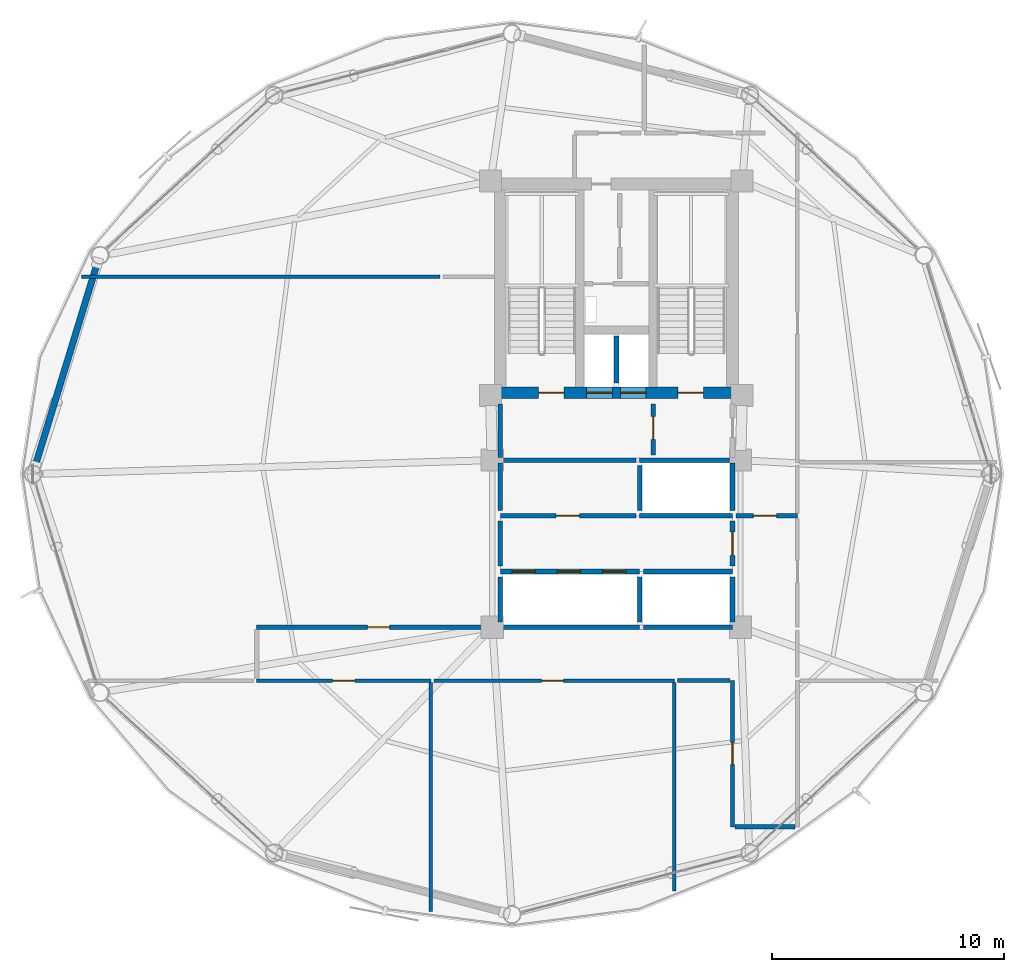
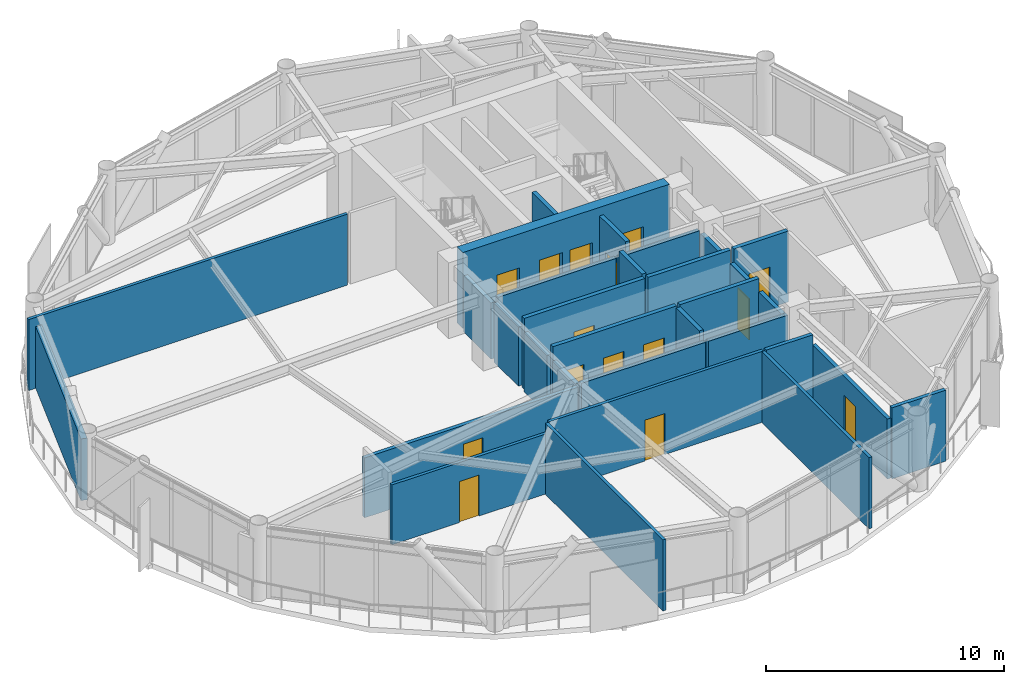
# One storey, part 21 of 25: 31 walls, 15 doors, 15 openings.
"""IFC4 building model written with IfcOpenShell, lengths in metres."""

from ifc_helpers import new_model, si_unit, direction, frame, frame_2d, origin, place, context, subcontext, project, spatial, rectangle, extrude, material, layer, layer_set, type_object, element, fill, save


model = new_model("IFC4")

# Units and contexts
model_context = context("Model", 3, precision=1e-05, world=origin(), true_north=direction((0.0, 1.0)))
body_context = subcontext(model_context, "Body", "Model", "MODEL_VIEW")
ifc_project = project(units=[si_unit("LENGTHUNIT", "METRE"), si_unit("AREAUNIT", "SQUARE_METRE"), si_unit("VOLUMEUNIT", "CUBIC_METRE"), si_unit("PLANEANGLEUNIT", "RADIAN"), si_unit("MASSUNIT", "GRAM", prefix="KILO")], contexts=[model_context])

# Site, building, storey
site_placement = place(None, origin())
site = spatial("IfcSite", under=ifc_project, at=site_placement, CompositionType="ELEMENT")
building_placement = place(site_placement, origin())
building = spatial("IfcBuilding", under=site, at=building_placement, Name="Varnakorn Sky Granary", CompositionType="ELEMENT")
storey_placement = place(building_placement, frame((0.0, 0.0, 157.800048828125)))
storey = spatial("IfcBuildingStorey", under=building, at=storey_placement, Name="L39", CompositionType="ELEMENT", Elevation=157.800048828125)

# Wall, openings, doors
ifc_material_1 = material(Name="Concrete C60/75", Category="concrete")
ifc_layer_1 = layer(ifc_material_1, 0.5, Name="Concrete C60/75")
ifc_layer_set_1 = layer_set([ifc_layer_1], Name="Concrete C60/75")
wall_type_1 = type_object("IfcWallType", Name="WT-CW-SHEAR-500", PredefinedType="SHEAR", material=ifc_layer_set_1)
wall_1_placement = place(storey_placement, frame((-2.0, 3.5, 0.0), z_axis=(0.0, 0.0, 1.0), x_axis=(1.0, 0.0, 0.0)))
wall_1 = element("IfcWall", 1, at=wall_1_placement, inside=storey, type_object=wall_type_1, Name="Core South Shear Wall L39", PredefinedType="SHEAR", context=body_context, shape_type="SweptSolid", body=[
    extrude(rectangle(XDim=10.0, YDim=0.5, at=frame_2d((5.0, 0.0))), origin(), (0.0, 0.0, 1.0), 3.891845703125),
])
opening_1_placement = place(wall_1_placement, frame((1.64990234375, 0.0, 0.0)))
opening_1 = element("IfcOpeningElement", 2, at=opening_1_placement, cuts=wall_1, Name="Opening FD-90", PredefinedType="OPENING", context=body_context, shape_type="SweptSolid", body=[
    extrude(rectangle(XDim=1.10009765625, YDim=2.14990234375, at=frame_2d((0.550048828125, 1.074951171875))), frame((0.0, 0.260009765625, 0.0), z_axis=(0.0, -1.0, 0.0), x_axis=(1.0, 0.0, 0.0)), (0.0, 0.0, 1.0), 0.52001953125),
])
opening_2_placement = place(wall_1_placement, frame((7.64990234375, 0.0, 0.0)))
opening_2 = element("IfcOpeningElement", 3, at=opening_2_placement, cuts=wall_1, Name="Opening FD-90", PredefinedType="OPENING", context=body_context, shape_type="SweptSolid", body=[
    extrude(rectangle(XDim=1.10009765625, YDim=2.14990234375, at=frame_2d((0.550048828125, 1.074951171875))), frame((0.0, 0.260009765625, 0.0), z_axis=(0.0, -1.0, 0.0), x_axis=(1.0, 0.0, 0.0)), (0.0, 0.0, 1.0), 0.52001953125),
])
opening_3_placement = place(wall_1_placement, frame((3.719970703125, 0.0, 0.0)))
opening_3 = element("IfcOpeningElement", 4, at=opening_3_placement, cuts=wall_1, Name="Opening LD-01", PredefinedType="OPENING", context=body_context, shape_type="SweptSolid", body=[
    extrude(rectangle(XDim=1.10009765625, YDim=2.199951171875, at=frame_2d((0.550048828125, 1.10009765625))), frame((0.0, 0.260009765625, 0.0), z_axis=(0.0, -1.0, 0.0), x_axis=(1.0, 0.0, 0.0)), (0.0, 0.0, 1.0), 0.52001953125),
])
opening_4_placement = place(wall_1_placement, frame((5.179931640625, 0.0, 0.0)))
opening_4 = element("IfcOpeningElement", 5, at=opening_4_placement, cuts=wall_1, Name="Opening LD-01", PredefinedType="OPENING", context=body_context, shape_type="SweptSolid", body=[
    extrude(rectangle(XDim=1.10009765625, YDim=2.199951171875, at=frame_2d((0.550048828125, 1.10009765625))), frame((0.0, 0.260009765625, 0.0), z_axis=(0.0, -1.0, 0.0), x_axis=(1.0, 0.0, 0.0)), (0.0, 0.0, 1.0), 0.52001953125),
])
ifc_material_2 = material(Name="Brushed Bronze Stainless Steel", Category="steel")
door_type_1 = type_object("IfcDoorType", Name="DR-LD-1100", OperationType="DOUBLE_DOOR_SLIDING", PredefinedType="DOOR", material=ifc_material_2)
door_1_placement = place(opening_3_placement, origin())
door_1 = element("IfcDoor", 6, at=door_1_placement, inside=storey, type_object=door_type_1, Name="Firefighting Lift FFL-1 Landing Door L39", OperationType="DOUBLE_DOOR_SLIDING", OverallHeight=2.199951171875, OverallWidth=1.10009765625, PredefinedType="DOOR", context=body_context, shape_type="SweptSolid", body=[
    extrude(rectangle(XDim=1.10009765625, YDim=2.199951171875, at=frame_2d((0.550048828125, 1.10009765625))), frame((0.0, 0.02490234375, 0.0), z_axis=(0.0, -1.0, 0.0), x_axis=(1.0, 0.0, 0.0)), (0.0, 0.0, 1.0), 0.050048828125),
])
fill(opening_3, door_1)
door_2_placement = place(opening_4_placement, origin())
door_2 = element("IfcDoor", 7, at=door_2_placement, inside=storey, type_object=door_type_1, Name="Firefighting Lift FFL-2 Landing Door L39", OperationType="DOUBLE_DOOR_SLIDING", OverallHeight=2.199951171875, OverallWidth=1.10009765625, PredefinedType="DOOR", context=body_context, shape_type="SweptSolid", body=[
    extrude(rectangle(XDim=1.10009765625, YDim=2.199951171875, at=frame_2d((0.550048828125, 1.10009765625))), frame((0.0, 0.02490234375, 0.0), z_axis=(0.0, -1.0, 0.0), x_axis=(1.0, 0.0, 0.0)), (0.0, 0.0, 1.0), 0.050048828125),
])
fill(opening_4, door_2)
ifc_material_3 = material(Name="Galvanised Painted Steel Leaf", Category="steel")
door_type_2 = type_object("IfcDoorType", Name="DR-STAIR-1100", OperationType="NOTDEFINED", PredefinedType="DOOR", material=ifc_material_3)
door_3_placement = place(opening_1_placement, origin())
door_3 = element("IfcDoor", 8, at=door_3_placement, inside=storey, type_object=door_type_2, Name="Stair ST-1 Protected Fire Door L39", OperationType="SINGLE_SWING_LEFT", OverallHeight=2.14990234375, OverallWidth=1.10009765625, PredefinedType="DOOR", context=body_context, shape_type="SweptSolid", body=[
    extrude(rectangle(XDim=1.10009765625, YDim=2.14990234375, at=frame_2d((0.550048828125, 1.074951171875))), frame((0.0, 0.02490234375, 0.0), z_axis=(0.0, -1.0, 0.0), x_axis=(1.0, 0.0, 0.0)), (0.0, 0.0, 1.0), 0.050048828125),
])
fill(opening_1, door_3)
door_4_placement = place(opening_2_placement, origin())
door_4 = element("IfcDoor", 9, at=door_4_placement, inside=storey, type_object=door_type_2, Name="Stair ST-2 Protected Fire Door L39", OperationType="SINGLE_SWING_RIGHT", OverallHeight=2.14990234375, OverallWidth=1.10009765625, PredefinedType="DOOR", context=body_context, shape_type="SweptSolid", body=[
    extrude(rectangle(XDim=1.10009765625, YDim=2.14990234375, at=frame_2d((0.550048828125, 1.074951171875))), frame((0.0, 0.02490234375, 0.0), z_axis=(0.0, -1.0, 0.0), x_axis=(1.0, 0.0, 0.0)), (0.0, 0.0, 1.0), 0.050048828125),
])
fill(opening_2, door_4)

# Wall
ifc_material_4 = material(Name="Precast concrete C40/50", Category="concrete")
ifc_layer_2 = layer(ifc_material_4, 0.280029296875, Name="Precast concrete C40/50")
ifc_layer_set_2 = layer_set([ifc_layer_2], Name="Precast concrete C40/50")
wall_type_2 = type_object("IfcWallType", Name="WT-EW-CRN-280", PredefinedType="SOLIDWALL", material=ifc_layer_set_2)
wall_2_placement = place(storey_placement, frame((-22.0517578125, 0.3212890625, 0.0), z_axis=(0.0, 0.0, 1.0), x_axis=(0.292446025951, 0.956282030525, 0.0)))
element("IfcWall", 10, at=wall_2_placement, inside=storey, type_object=wall_type_2, Name="Agritech Insulated Precast Facade Wall L39-P06", PredefinedType="SOLIDWALL", context=body_context, shape_type="SweptSolid", body=[
    extrude(rectangle(XDim=9.18798828125, YDim=0.280029296875, at=frame_2d((4.593994140625, 0.0))), origin(), (0.0, 0.0, 1.0), 3.159912109375),
])

# Wall, opening, door
ifc_material_5 = material(Name="Autoclaved Aerated Concrete Blockwork", Category="masonry")
ifc_layer_3 = layer(ifc_material_5, 0.199951171875, Name="Autoclaved Aerated Concrete Blockwork")
ifc_layer_set_3 = layer_set([ifc_layer_3], Name="Autoclaved Aerated Concrete Blockwork")
wall_type_3 = type_object("IfcWallType", Name="WT-FIRE-200", PredefinedType="MOVABLE", material=ifc_layer_set_3)
wall_3_placement = place(storey_placement, frame((4.580078125, 0.830078125, 0.0), z_axis=(0.0, 0.0, 1.0), x_axis=(0.0, 1.0, 0.0)))
wall_3 = element("IfcWall", 11, at=wall_3_placement, inside=storey, type_object=wall_type_3, Name="Interior Partition Wall L39-015", PredefinedType="MOVABLE", context=body_context, shape_type="SweptSolid", body=[
    extrude(rectangle(XDim=2.18994140625, YDim=0.199951171875, at=frame_2d((1.094970703125, 0.0))), origin(), (0.0, 0.0, 1.0), 3.639892578125),
])
opening_5_placement = place(wall_3_placement, frame((0.659912109375, 0.0, 0.0)))
opening_5 = element("IfcOpeningElement", 12, at=opening_5_placement, cuts=wall_3, Name="Opening FD-60", PredefinedType="OPENING", context=body_context, shape_type="SweptSolid", body=[
    extrude(rectangle(XDim=1.0, YDim=2.10009765625, at=frame_2d((0.5, 1.050048828125))), frame((0.0, 0.10986328125, 0.0), z_axis=(0.0, -1.0, 0.0), x_axis=(1.0, 0.0, 0.0)), (0.0, 0.0, 1.0), 0.219970703125),
])
ifc_material_6 = material(Name="Acoustic Timber Fire Leaf", Category="wood")
door_type_3 = type_object("IfcDoorType", Name="DR-FD60-1000", OperationType="NOTDEFINED", PredefinedType="DOOR", material=ifc_material_6)
door_5_placement = place(opening_5_placement, origin())
door_5 = element("IfcDoor", 13, at=door_5_placement, inside=storey, type_object=door_type_3, Name="Interior Door L39-015-1", OperationType="SINGLE_SWING_RIGHT", OverallHeight=2.10009765625, OverallWidth=1.0, PredefinedType="DOOR", context=body_context, shape_type="SweptSolid", body=[
    extrude(rectangle(XDim=1.0, YDim=2.10009765625, at=frame_2d((0.5, 1.050048828125))), frame((0.0, 0.02490234375, 0.0), z_axis=(0.0, -1.0, 0.0), x_axis=(1.0, 0.0, 0.0)), (0.0, 0.0, 1.0), 0.050048828125),
])
fill(opening_5, door_5)

wall_4_placement = place(storey_placement, frame((8.0, -3.969970703125, 0.0), z_axis=(0.0, 0.0, 1.0), x_axis=(0.0, 1.0, 0.0)))
wall_4 = element("IfcWall", 14, at=wall_4_placement, inside=storey, type_object=wall_type_3, Name="Interior Partition Wall L39-017", PredefinedType="MOVABLE", context=body_context, shape_type="SweptSolid", body=[
    extrude(rectangle(XDim=1.93994140625, YDim=0.199951171875, at=frame_2d((0.969970703125, 0.0))), origin(), (0.0, 0.0, 1.0), 3.072021484375),
])
opening_6_placement = place(wall_4_placement, frame((0.469970703125, 0.0, 0.0)))
opening_6 = element("IfcOpeningElement", 15, at=opening_6_placement, cuts=wall_4, Name="Opening FD-60", PredefinedType="OPENING", context=body_context, shape_type="SweptSolid", body=[
    extrude(rectangle(XDim=1.0, YDim=2.10009765625, at=frame_2d((0.5, 1.050048828125))), frame((0.0, 0.10986328125, 0.0), z_axis=(0.0, -1.0, 0.0), x_axis=(1.0, 0.0, 0.0)), (0.0, 0.0, 1.0), 0.219970703125),
])
door_6_placement = place(opening_6_placement, origin())
door_6 = element("IfcDoor", 16, at=door_6_placement, inside=storey, type_object=door_type_3, Name="Interior Door L39-017-1", OperationType="SINGLE_SWING_RIGHT", OverallHeight=2.10009765625, OverallWidth=1.0, PredefinedType="DOOR", context=body_context, shape_type="SweptSolid", body=[
    extrude(rectangle(XDim=1.0, YDim=2.10009765625, at=frame_2d((0.5, 1.050048828125))), frame((0.0, 0.02490234375, 0.0), z_axis=(0.0, -1.0, 0.0), x_axis=(1.0, 0.0, 0.0)), (0.0, 0.0, 1.0), 0.050048828125),
])
fill(opening_6, door_6)

wall_5_placement = place(storey_placement, frame((-2.0, -1.800048828125, 0.0), z_axis=(0.0, 0.0, 1.0), x_axis=(1.0, 0.0, 0.0)))
wall_5 = element("IfcWall", 17, at=wall_5_placement, inside=storey, type_object=wall_type_3, Name="Interior Partition Wall L39-018", PredefinedType="MOVABLE", context=body_context, shape_type="SweptSolid", body=[
    extrude(rectangle(XDim=5.840087890625, YDim=0.199951171875, at=frame_2d((2.919921875, 0.0))), origin(), (0.0, 0.0, 1.0), 3.639892578125),
])
opening_7_placement = place(wall_5_placement, frame((2.39990234375, 0.0, 0.0)))
opening_7 = element("IfcOpeningElement", 18, at=opening_7_placement, cuts=wall_5, Name="Opening FD-60", PredefinedType="OPENING", context=body_context, shape_type="SweptSolid", body=[
    extrude(rectangle(XDim=1.0, YDim=2.10009765625, at=frame_2d((0.5, 1.050048828125))), frame((0.0, 0.10986328125, 0.0), z_axis=(0.0, -1.0, 0.0), x_axis=(1.0, 0.0, 0.0)), (0.0, 0.0, 1.0), 0.219970703125),
])
door_7_placement = place(opening_7_placement, origin())
door_7 = element("IfcDoor", 19, at=door_7_placement, inside=storey, type_object=door_type_3, Name="Interior Door L39-018-1", OperationType="SINGLE_SWING_LEFT", OverallHeight=2.10009765625, OverallWidth=1.0, PredefinedType="DOOR", context=body_context, shape_type="SweptSolid", body=[
    extrude(rectangle(XDim=1.0, YDim=2.10009765625, at=frame_2d((0.5, 1.050048828125))), frame((0.0, 0.02490234375, 0.0), z_axis=(0.0, -1.0, 0.0), x_axis=(1.0, 0.0, 0.0)), (0.0, 0.0, 1.0), 0.050048828125),
])
fill(opening_7, door_7)

wall_6_placement = place(storey_placement, frame((8.159912109375, -1.800048828125, 0.0), z_axis=(0.0, 0.0, 1.0), x_axis=(1.0, 0.0, 0.0)))
wall_6 = element("IfcWall", 20, at=wall_6_placement, inside=storey, type_object=wall_type_3, Name="Interior Partition Wall L39-019", PredefinedType="MOVABLE", context=body_context, shape_type="SweptSolid", body=[
    extrude(rectangle(XDim=2.64013671875, YDim=0.199951171875, at=frame_2d((1.320068359375, 0.0))), origin(), (0.0, 0.0, 1.0), 3.639892578125),
])
opening_8_placement = place(wall_6_placement, frame((0.739990234375, 0.0, 0.0)))
opening_8 = element("IfcOpeningElement", 21, at=opening_8_placement, cuts=wall_6, Name="Opening FD-60", PredefinedType="OPENING", context=body_context, shape_type="SweptSolid", body=[
    extrude(rectangle(XDim=1.0, YDim=2.10009765625, at=frame_2d((0.5, 1.050048828125))), frame((0.0, 0.10986328125, 0.0), z_axis=(0.0, -1.0, 0.0), x_axis=(1.0, 0.0, 0.0)), (0.0, 0.0, 1.0), 0.219970703125),
])
door_8_placement = place(opening_8_placement, origin())
door_8 = element("IfcDoor", 22, at=door_8_placement, inside=storey, type_object=door_type_3, Name="Interior Door L39-019-1", OperationType="SINGLE_SWING_RIGHT", OverallHeight=2.10009765625, OverallWidth=1.0, PredefinedType="DOOR", context=body_context, shape_type="SweptSolid", body=[
    extrude(rectangle(XDim=1.0, YDim=2.10009765625, at=frame_2d((0.5, 1.050048828125))), frame((0.0, 0.02490234375, 0.0), z_axis=(0.0, -1.0, 0.0), x_axis=(1.0, 0.0, 0.0)), (0.0, 0.0, 1.0), 0.050048828125),
])
fill(opening_8, door_8)

# Walls
wall_7_placement = place(storey_placement, frame((-1.8798828125, 0.60009765625, 0.0), z_axis=(0.0, 0.0, 1.0), x_axis=(1.0, 0.0, 0.0)))
element("IfcWall", 23, at=wall_7_placement, inside=storey, type_object=wall_type_3, Name="Interior Partition Wall L39-028", PredefinedType="MOVABLE", context=body_context, shape_type="SweptSolid", body=[
    extrude(rectangle(XDim=5.719970703125, YDim=0.199951171875, at=frame_2d((2.85986328125, 0.0))), origin(), (0.0, 0.0, 1.0), 3.221923828125),
])
wall_8_placement = place(storey_placement, frame((-2.0, 0.719970703125, 0.0), z_axis=(0.0, 0.0, 1.0), x_axis=(0.0, 1.0, 0.0)))
element("IfcWall", 24, at=wall_8_placement, inside=storey, type_object=wall_type_3, Name="Interior Partition Wall L39-029", PredefinedType="MOVABLE", context=body_context, shape_type="SweptSolid", body=[
    extrude(rectangle(XDim=2.300048828125, YDim=0.199951171875, at=frame_2d((1.14990234375, 0.0))), origin(), (0.0, 0.0, 1.0), 2.8720703125),
])
wall_9_placement = place(storey_placement, frame((-2.0, -3.969970703125, 0.0), z_axis=(0.0, 0.0, 1.0), x_axis=(0.0, 1.0, 0.0)))
element("IfcWall", 25, at=wall_9_placement, inside=storey, type_object=wall_type_3, Name="Interior Partition Wall L39-030", PredefinedType="MOVABLE", context=body_context, shape_type="SweptSolid", body=[
    extrude(rectangle(XDim=1.93994140625, YDim=0.199951171875, at=frame_2d((0.969970703125, 0.0))), origin(), (0.0, 0.0, 1.0), 3.02197265625),
])
wall_10_placement = place(storey_placement, frame((-2.0, -1.570068359375, 0.0), z_axis=(0.0, 0.0, 1.0), x_axis=(0.0, 1.0, 0.0)))
element("IfcWall", 26, at=wall_10_placement, inside=storey, type_object=wall_type_3, Name="Interior Partition Wall L39-031", PredefinedType="MOVABLE", context=body_context, shape_type="SweptSolid", body=[
    extrude(rectangle(XDim=2.050048828125, YDim=0.199951171875, at=frame_2d((1.02490234375, 0.0))), origin(), (0.0, 0.0, 1.0), 3.02197265625),
])

# Wall, opening, door
ifc_material_7 = material(Name="Gypsum Plasterboard on Steel Stud", Category="steel")
ifc_layer_4 = layer(ifc_material_7, 0.14990234375, Name="Gypsum Plasterboard on Steel Stud")
ifc_layer_set_4 = layer_set([ifc_layer_4], Name="Gypsum Plasterboard on Steel Stud")
wall_type_4 = type_object("IfcWallType", Name="WT-PART-150", PredefinedType="PARTITIONING", material=ifc_layer_set_4)
wall_11_placement = place(storey_placement, frame((-12.5, -8.89990234375, 0.0), z_axis=(0.0, 0.0, 1.0), x_axis=(1.0, 0.0, 0.0)))
wall_11 = element("IfcWall", 27, at=wall_11_placement, inside=storey, type_object=wall_type_4, Name="Interior Partition Wall L39-021", PredefinedType="PARTITIONING", context=body_context, shape_type="SweptSolid", body=[
    extrude(rectangle(XDim=7.5, YDim=0.14990234375, at=frame_2d((3.75, 0.0))), origin(), (0.0, 0.0, 1.0), 3.072021484375),
])
opening_9_placement = place(wall_11_placement, frame((3.27490234375, 0.0, 0.0)))
opening_9 = element("IfcOpeningElement", 28, at=opening_9_placement, cuts=wall_11, Name="Opening ID-95", PredefinedType="OPENING", context=body_context, shape_type="SweptSolid", body=[
    extrude(rectangle(XDim=0.949951171875, YDim=2.10009765625, at=frame_2d((0.47509765625, 1.050048828125))), frame((0.0, 0.0849609375, 0.0), z_axis=(0.0, -1.0, 0.0), x_axis=(1.0, 0.0, 0.0)), (0.0, 0.0, 1.0), 0.169921875),
])
ifc_material_8 = material(Name="Solid-Core Teak Veneer Leaf", Category="timber")
door_type_4 = type_object("IfcDoorType", Name="DR-INT-950", OperationType="NOTDEFINED", PredefinedType="DOOR", material=ifc_material_8)
door_9_placement = place(opening_9_placement, origin())
door_9 = element("IfcDoor", 29, at=door_9_placement, inside=storey, type_object=door_type_4, Name="Interior Door L39-021-1", OperationType="SINGLE_SWING_RIGHT", OverallHeight=2.10009765625, OverallWidth=0.949951171875, PredefinedType="DOOR", context=body_context, shape_type="SweptSolid", body=[
    extrude(rectangle(XDim=0.949951171875, YDim=2.10009765625, at=frame_2d((0.47509765625, 1.050048828125))), frame((0.0, 0.02490234375, 0.0), z_axis=(0.0, -1.0, 0.0), x_axis=(1.0, 0.0, 0.0)), (0.0, 0.0, 1.0), 0.050048828125),
])
fill(opening_9, door_9)

wall_12_placement = place(storey_placement, frame((-4.864990234375, -8.89990234375, 0.0), z_axis=(0.0, 0.0, 1.0), x_axis=(1.0, 0.0, 0.0)))
wall_12 = element("IfcWall", 30, at=wall_12_placement, inside=storey, type_object=wall_type_4, Name="Interior Partition Wall L39-022", PredefinedType="PARTITIONING", context=body_context, shape_type="SweptSolid", body=[
    extrude(rectangle(XDim=10.364990234375, YDim=0.14990234375, at=frame_2d((5.1826171875, 0.0))), origin(), (0.0, 0.0, 1.0), 3.639892578125),
])
opening_10_placement = place(wall_12_placement, frame((4.639892578125, 0.0, 0.0)))
opening_10 = element("IfcOpeningElement", 31, at=opening_10_placement, cuts=wall_12, Name="Opening ID-95", PredefinedType="OPENING", context=body_context, shape_type="SweptSolid", body=[
    extrude(rectangle(XDim=0.949951171875, YDim=2.10009765625, at=frame_2d((0.47509765625, 1.050048828125))), frame((0.0, 0.0849609375, 0.0), z_axis=(0.0, -1.0, 0.0), x_axis=(1.0, 0.0, 0.0)), (0.0, 0.0, 1.0), 0.169921875),
])
door_10_placement = place(opening_10_placement, origin())
door_10 = element("IfcDoor", 32, at=door_10_placement, inside=storey, type_object=door_type_4, Name="Interior Door L39-022-1", OperationType="SINGLE_SWING_LEFT", OverallHeight=2.10009765625, OverallWidth=0.949951171875, PredefinedType="DOOR", context=body_context, shape_type="SweptSolid", body=[
    extrude(rectangle(XDim=0.949951171875, YDim=2.10009765625, at=frame_2d((0.47509765625, 1.050048828125))), frame((0.0, 0.02490234375, 0.0), z_axis=(0.0, -1.0, 0.0), x_axis=(1.0, 0.0, 0.0)), (0.0, 0.0, 1.0), 0.050048828125),
])
fill(opening_10, door_10)

# Walls
wall_13_placement = place(storey_placement, frame((-5.0, -8.985107421875, 0.0), z_axis=(0.0, 0.0, 1.0), x_axis=(0.0, -1.0, 0.0)))
element("IfcWall", 33, at=wall_13_placement, inside=storey, type_object=wall_type_4, Name="Interior Partition Wall L39-033", PredefinedType="PARTITIONING", context=body_context, shape_type="SweptSolid", body=[
    extrude(rectangle(XDim=9.864990234375, YDim=0.14990234375, at=frame_2d((4.9326171875, 0.0))), origin(), (0.0, 0.0, 1.0), 3.639892578125),
])
wall_14_placement = place(storey_placement, frame((5.5, -8.985107421875, 0.0), z_axis=(0.0, 0.0, 1.0), x_axis=(0.0, -1.0, 0.0)))
element("IfcWall", 34, at=wall_14_placement, inside=storey, type_object=wall_type_4, Name="Interior Partition Wall L39-036", PredefinedType="PARTITIONING", context=body_context, shape_type="SweptSolid", body=[
    extrude(rectangle(XDim=8.98095703125, YDim=0.14990234375, at=frame_2d((4.490478515625, 0.0))), origin(), (0.0, 0.0, 1.0), 3.639892578125),
])
wall_15_placement = place(storey_placement, frame((-20.0458984375, 8.5, 0.0), z_axis=(0.0, 0.0, 1.0), x_axis=(1.0, 0.0, 0.0)))
element("IfcWall", 35, at=wall_15_placement, inside=storey, type_object=wall_type_4, Name="Interior Partition Wall L39-042", PredefinedType="PARTITIONING", context=body_context, shape_type="SweptSolid", body=[
    extrude(rectangle(XDim=15.44580078125, YDim=0.14990234375, at=frame_2d((7.722900390625, 0.0))), origin(), (0.0, 0.0, 1.0), 3.639892578125),
])

# Wall, opening, door
ifc_material_9 = material(Name="Moisture-Resistant Gypsum on Stud", Category="gypsum")
ifc_layer_5 = layer(ifc_material_9, 0.179931640625, Name="Moisture-Resistant Gypsum on Stud")
ifc_layer_set_5 = layer_set([ifc_layer_5], Name="Moisture-Resistant Gypsum on Stud")
wall_type_5 = type_object("IfcWallType", Name="WT-PLUMB-180", PredefinedType="PLUMBINGWALL", material=ifc_layer_set_5)
wall_16_placement = place(storey_placement, frame((8.0, -8.89990234375, 0.0), z_axis=(0.0, 0.0, 1.0), x_axis=(0.0, -1.0, 0.0)))
wall_16 = element("IfcWall", 36, at=wall_16_placement, inside=storey, type_object=wall_type_5, Name="Interior Partition Wall L39-023", PredefinedType="PLUMBINGWALL", context=body_context, shape_type="SweptSolid", body=[
    extrude(rectangle(XDim=6.300048828125, YDim=0.179931640625, at=frame_2d((3.14990234375, 0.0))), origin(), (0.0, 0.0, 1.0), 3.072021484375),
])
opening_11_placement = place(wall_16_placement, frame((2.675048828125, 0.0, 0.0)))
opening_11 = element("IfcOpeningElement", 37, at=opening_11_placement, cuts=wall_16, Name="Opening ID-95", PredefinedType="OPENING", context=body_context, shape_type="SweptSolid", body=[
    extrude(rectangle(XDim=0.949951171875, YDim=2.10009765625, at=frame_2d((0.47509765625, 1.050048828125))), frame((0.0, 0.10009765625, 0.0), z_axis=(0.0, -1.0, 0.0), x_axis=(1.0, 0.0, 0.0)), (0.0, 0.0, 1.0), 0.199951171875),
])
door_11_placement = place(opening_11_placement, origin())
door_11 = element("IfcDoor", 38, at=door_11_placement, inside=storey, type_object=door_type_4, Name="Interior Door L39-023-1", OperationType="SINGLE_SWING_RIGHT", OverallHeight=2.10009765625, OverallWidth=0.949951171875, PredefinedType="DOOR", context=body_context, shape_type="SweptSolid", body=[
    extrude(rectangle(XDim=0.949951171875, YDim=2.10009765625, at=frame_2d((0.47509765625, 1.050048828125))), frame((0.0, 0.02490234375, 0.0), z_axis=(0.0, -1.0, 0.0), x_axis=(1.0, 0.0, 0.0)), (0.0, 0.0, 1.0), 0.050048828125),
])
fill(opening_11, door_11)

wall_17_placement = place(storey_placement, frame((-2.159912109375, -6.60009765625, 0.0), z_axis=(0.0, 0.0, 1.0), x_axis=(-1.0, 0.0, 0.0)))
wall_17 = element("IfcWall", 39, at=wall_17_placement, inside=storey, type_object=wall_type_5, Name="Interior Partition Wall L39-024", PredefinedType="PLUMBINGWALL", context=body_context, shape_type="SweptSolid", body=[
    extrude(rectangle(XDim=10.340087890625, YDim=0.179931640625, at=frame_2d((5.169921875, 0.0))), origin(), (0.0, 0.0, 1.0), 3.072021484375),
])
opening_12_placement = place(wall_17_placement, frame((4.614990234375, 0.0, 0.0)))
opening_12 = element("IfcOpeningElement", 40, at=opening_12_placement, cuts=wall_17, Name="Opening ID-95", PredefinedType="OPENING", context=body_context, shape_type="SweptSolid", body=[
    extrude(rectangle(XDim=0.949951171875, YDim=2.10009765625, at=frame_2d((0.47509765625, 1.050048828125))), frame((0.0, 0.10009765625, 0.0), z_axis=(0.0, -1.0, 0.0), x_axis=(1.0, 0.0, 0.0)), (0.0, 0.0, 1.0), 0.199951171875),
])
door_12_placement = place(opening_12_placement, origin())
door_12 = element("IfcDoor", 41, at=door_12_placement, inside=storey, type_object=door_type_4, Name="Interior Door L39-024-1", OperationType="SINGLE_SWING_LEFT", OverallHeight=2.10009765625, OverallWidth=0.949951171875, PredefinedType="DOOR", context=body_context, shape_type="SweptSolid", body=[
    extrude(rectangle(XDim=0.949951171875, YDim=2.10009765625, at=frame_2d((0.47509765625, 1.050048828125))), frame((0.0, 0.02490234375, 0.0), z_axis=(0.0, -1.0, 0.0), x_axis=(1.0, 0.0, 0.0)), (0.0, 0.0, 1.0), 0.050048828125),
])
fill(opening_12, door_12)

# Walls
wall_18_placement = place(storey_placement, frame((8.10009765625, -15.199951171875, 0.0), z_axis=(0.0, 0.0, 1.0), x_axis=(1.0, 0.0, 0.0)))
element("IfcWall", 42, at=wall_18_placement, inside=storey, type_object=wall_type_5, Name="Interior Partition Wall L39-038", PredefinedType="PLUMBINGWALL", context=body_context, shape_type="SweptSolid", body=[
    extrude(rectangle(XDim=2.599853515625, YDim=0.179931640625, at=frame_2d((1.2998046875, 0.0))), origin(), (0.0, 0.0, 1.0), 3.639892578125),
])
wall_19_placement = place(storey_placement, frame((5.635009765625, -8.89990234375, 0.0), z_axis=(0.0, 0.0, 1.0), x_axis=(1.0, 0.0, 0.0)))
element("IfcWall", 43, at=wall_19_placement, inside=storey, type_object=wall_type_5, Name="Interior Partition Wall L39-039", PredefinedType="PLUMBINGWALL", context=body_context, shape_type="SweptSolid", body=[
    extrude(rectangle(XDim=2.264892578125, YDim=0.179931640625, at=frame_2d((1.13232421875, 0.0))), origin(), (0.0, 0.0, 1.0), 3.639892578125),
])
ifc_layer_6 = layer(ifc_material_5, 0.199951171875, Name="Autoclaved Aerated Concrete Blockwork")
ifc_layer_set_6 = layer_set([ifc_layer_6], Name="Autoclaved Aerated Concrete Blockwork")
wall_type_6 = type_object("IfcWallType", Name="WT-SHAFT-200", PredefinedType="SOLIDWALL", material=ifc_layer_set_6)
wall_20_placement = place(storey_placement, frame((3.0, 3.919921875, 0.0), z_axis=(0.0, 0.0, 1.0), x_axis=(0.0, 1.0, 0.0)))
element("IfcWall", 44, at=wall_20_placement, inside=storey, type_object=wall_type_6, Name="Interior Partition Wall L39-001", PredefinedType="SOLIDWALL", context=body_context, shape_type="SweptSolid", body=[
    extrude(rectangle(XDim=2.030029296875, YDim=0.199951171875, at=frame_2d((1.01513671875, 0.0))), origin(), (0.0, 0.0, 1.0), 3.639892578125),
])
wall_21_placement = place(storey_placement, frame((4.0, 0.60009765625, 0.0), z_axis=(0.0, 0.0, 1.0), x_axis=(1.0, 0.0, 0.0)))
element("IfcWall", 45, at=wall_21_placement, inside=storey, type_object=wall_type_6, Name="Interior Partition Wall L39-002", PredefinedType="SOLIDWALL", context=body_context, shape_type="SweptSolid", body=[
    extrude(rectangle(XDim=3.8798828125, YDim=0.199951171875, at=frame_2d((1.93994140625, 0.0))), origin(), (0.0, 0.0, 1.0), 3.221923828125),
])
wall_22_placement = place(storey_placement, frame((4.0, -1.800048828125, 0.0), z_axis=(0.0, 0.0, 1.0), x_axis=(1.0, 0.0, 0.0)))
element("IfcWall", 46, at=wall_22_placement, inside=storey, type_object=wall_type_6, Name="Interior Partition Wall L39-003", PredefinedType="SOLIDWALL", context=body_context, shape_type="SweptSolid", body=[
    extrude(rectangle(XDim=4.0, YDim=0.199951171875, at=frame_2d((2.0, 0.0))), origin(), (0.0, 0.0, 1.0), 3.639892578125),
])
wall_23_placement = place(storey_placement, frame((4.0, -1.570068359375, 0.0), z_axis=(0.0, 0.0, 1.0), x_axis=(0.0, 1.0, 0.0)))
element("IfcWall", 47, at=wall_23_placement, inside=storey, type_object=wall_type_6, Name="Interior Partition Wall L39-004", PredefinedType="SOLIDWALL", context=body_context, shape_type="SweptSolid", body=[
    extrude(rectangle(XDim=1.940185546875, YDim=0.199951171875, at=frame_2d((0.97021484375, 0.0))), origin(), (0.0, 0.0, 1.0), 3.639892578125),
])
wall_24_placement = place(storey_placement, frame((8.0, -1.570068359375, 0.0), z_axis=(0.0, 0.0, 1.0), x_axis=(0.0, 1.0, 0.0)))
element("IfcWall", 48, at=wall_24_placement, inside=storey, type_object=wall_type_6, Name="Interior Partition Wall L39-005", PredefinedType="SOLIDWALL", context=body_context, shape_type="SweptSolid", body=[
    extrude(rectangle(XDim=2.050048828125, YDim=0.199951171875, at=frame_2d((1.02490234375, 0.0))), origin(), (0.0, 0.0, 1.0), 3.072021484375),
])

# Wall, openings, doors
wall_25_placement = place(storey_placement, frame((-2.0, -4.199951171875, 0.0), z_axis=(0.0, 0.0, 1.0), x_axis=(1.0, 0.0, 0.0)))
wall_25 = element("IfcWall", 49, at=wall_25_placement, inside=storey, type_object=wall_type_6, Name="Interior Partition Wall L39-006", PredefinedType="SOLIDWALL", context=body_context, shape_type="SweptSolid", body=[
    extrude(rectangle(XDim=6.0, YDim=0.199951171875, at=frame_2d((3.0, 0.0))), origin(), (0.0, 0.0, 1.0), 3.639892578125),
])
opening_13_placement = place(wall_25_placement, frame((0.5, 0.0, 0.0)))
opening_13 = element("IfcOpeningElement", 50, at=opening_13_placement, cuts=wall_25, Name="Opening LD-03", PredefinedType="OPENING", context=body_context, shape_type="SweptSolid", body=[
    extrude(rectangle(XDim=1.0, YDim=2.199951171875, at=frame_2d((0.5, 1.10009765625))), frame((0.0, 0.10986328125, 0.0), z_axis=(0.0, -1.0, 0.0), x_axis=(1.0, 0.0, 0.0)), (0.0, 0.0, 1.0), 0.219970703125),
])
opening_14_placement = place(wall_25_placement, frame((2.449951171875, 0.0, 0.0)))
opening_14 = element("IfcOpeningElement", 51, at=opening_14_placement, cuts=wall_25, Name="Opening LD-03", PredefinedType="OPENING", context=body_context, shape_type="SweptSolid", body=[
    extrude(rectangle(XDim=1.0, YDim=2.199951171875, at=frame_2d((0.5, 1.10009765625))), frame((0.0, 0.10986328125, 0.0), z_axis=(0.0, -1.0, 0.0), x_axis=(1.0, 0.0, 0.0)), (0.0, 0.0, 1.0), 0.219970703125),
])
opening_15_placement = place(wall_25_placement, frame((4.39990234375, 0.0, 0.0)))
opening_15 = element("IfcOpeningElement", 52, at=opening_15_placement, cuts=wall_25, Name="Opening LD-03", PredefinedType="OPENING", context=body_context, shape_type="SweptSolid", body=[
    extrude(rectangle(XDim=1.0, YDim=2.199951171875, at=frame_2d((0.5, 1.10009765625))), frame((0.0, 0.10986328125, 0.0), z_axis=(0.0, -1.0, 0.0), x_axis=(1.0, 0.0, 0.0)), (0.0, 0.0, 1.0), 0.219970703125),
])
door_type_5 = type_object("IfcDoorType", Name="DR-LD-1000", OperationType="DOUBLE_DOOR_SLIDING", PredefinedType="DOOR", material=ifc_material_2)
door_13_placement = place(opening_13_placement, origin())
door_13 = element("IfcDoor", 53, at=door_13_placement, inside=storey, type_object=door_type_5, Name="Passenger Lift PL-M1 Sliding Landing Door L39", OperationType="DOUBLE_DOOR_SLIDING", OverallHeight=2.199951171875, OverallWidth=1.0, PredefinedType="DOOR", context=body_context, shape_type="SweptSolid", body=[
    extrude(rectangle(XDim=1.0, YDim=2.199951171875, at=frame_2d((0.5, 1.10009765625))), frame((0.0, 0.02490234375, 0.0), z_axis=(0.0, -1.0, 0.0), x_axis=(1.0, 0.0, 0.0)), (0.0, 0.0, 1.0), 0.050048828125),
])
fill(opening_13, door_13)
door_14_placement = place(opening_14_placement, origin())
door_14 = element("IfcDoor", 54, at=door_14_placement, inside=storey, type_object=door_type_5, Name="Passenger Lift PL-M2 Sliding Landing Door L39", OperationType="DOUBLE_DOOR_SLIDING", OverallHeight=2.199951171875, OverallWidth=1.0, PredefinedType="DOOR", context=body_context, shape_type="SweptSolid", body=[
    extrude(rectangle(XDim=1.0, YDim=2.199951171875, at=frame_2d((0.5, 1.10009765625))), frame((0.0, 0.02490234375, 0.0), z_axis=(0.0, -1.0, 0.0), x_axis=(1.0, 0.0, 0.0)), (0.0, 0.0, 1.0), 0.050048828125),
])
fill(opening_14, door_14)
door_15_placement = place(opening_15_placement, origin())
door_15 = element("IfcDoor", 55, at=door_15_placement, inside=storey, type_object=door_type_5, Name="Passenger Lift PL-M3 Sliding Landing Door L39", OperationType="DOUBLE_DOOR_SLIDING", OverallHeight=2.199951171875, OverallWidth=1.0, PredefinedType="DOOR", context=body_context, shape_type="SweptSolid", body=[
    extrude(rectangle(XDim=1.0, YDim=2.199951171875, at=frame_2d((0.5, 1.10009765625))), frame((0.0, 0.02490234375, 0.0), z_axis=(0.0, -1.0, 0.0), x_axis=(1.0, 0.0, 0.0)), (0.0, 0.0, 1.0), 0.050048828125),
])
fill(opening_15, door_15)

# Walls
wall_26_placement = place(storey_placement, frame((-2.0, -6.60009765625, 0.0), z_axis=(0.0, 0.0, 1.0), x_axis=(1.0, 0.0, 0.0)))
element("IfcWall", 56, at=wall_26_placement, inside=storey, type_object=wall_type_6, Name="Interior Partition Wall L39-007", PredefinedType="SOLIDWALL", context=body_context, shape_type="SweptSolid", body=[
    extrude(rectangle(XDim=6.0, YDim=0.199951171875, at=frame_2d((3.0, 0.0))), origin(), (0.0, 0.0, 1.0), 3.221923828125),
])
wall_27_placement = place(storey_placement, frame((-2.0, -6.3701171875, 0.0), z_axis=(0.0, 0.0, 1.0), x_axis=(0.0, 1.0, 0.0)))
element("IfcWall", 57, at=wall_27_placement, inside=storey, type_object=wall_type_6, Name="Interior Partition Wall L39-008", PredefinedType="SOLIDWALL", context=body_context, shape_type="SweptSolid", body=[
    extrude(rectangle(XDim=1.940185546875, YDim=0.199951171875, at=frame_2d((0.97021484375, 0.0))), origin(), (0.0, 0.0, 1.0), 3.02197265625),
])
wall_28_placement = place(storey_placement, frame((4.159912109375, -4.199951171875, 0.0), z_axis=(0.0, 0.0, 1.0), x_axis=(1.0, 0.0, 0.0)))
element("IfcWall", 58, at=wall_28_placement, inside=storey, type_object=wall_type_6, Name="Interior Partition Wall L39-009", PredefinedType="SOLIDWALL", context=body_context, shape_type="SweptSolid", body=[
    extrude(rectangle(XDim=3.840087890625, YDim=0.199951171875, at=frame_2d((1.919921875, 0.0))), origin(), (0.0, 0.0, 1.0), 3.639892578125),
])
wall_29_placement = place(storey_placement, frame((4.159912109375, -6.60009765625, 0.0), z_axis=(0.0, 0.0, 1.0), x_axis=(1.0, 0.0, 0.0)))
element("IfcWall", 59, at=wall_29_placement, inside=storey, type_object=wall_type_6, Name="Interior Partition Wall L39-010", PredefinedType="SOLIDWALL", context=body_context, shape_type="SweptSolid", body=[
    extrude(rectangle(XDim=3.840087890625, YDim=0.199951171875, at=frame_2d((1.919921875, 0.0))), origin(), (0.0, 0.0, 1.0), 3.221923828125),
])
wall_30_placement = place(storey_placement, frame((4.0, -6.3701171875, 0.0), z_axis=(0.0, 0.0, 1.0), x_axis=(0.0, 1.0, 0.0)))
element("IfcWall", 60, at=wall_30_placement, inside=storey, type_object=wall_type_6, Name="Interior Partition Wall L39-011", PredefinedType="SOLIDWALL", context=body_context, shape_type="SweptSolid", body=[
    extrude(rectangle(XDim=1.940185546875, YDim=0.199951171875, at=frame_2d((0.97021484375, 0.0))), origin(), (0.0, 0.0, 1.0), 3.639892578125),
])
wall_31_placement = place(storey_placement, frame((8.0, -6.3701171875, 0.0), z_axis=(0.0, 0.0, 1.0), x_axis=(0.0, 1.0, 0.0)))
element("IfcWall", 61, at=wall_31_placement, inside=storey, type_object=wall_type_6, Name="Interior Partition Wall L39-012", PredefinedType="SOLIDWALL", context=body_context, shape_type="SweptSolid", body=[
    extrude(rectangle(XDim=1.940185546875, YDim=0.199951171875, at=frame_2d((0.97021484375, 0.0))), origin(), (0.0, 0.0, 1.0), 3.072021484375),
])

save(model, "model.ifc")
